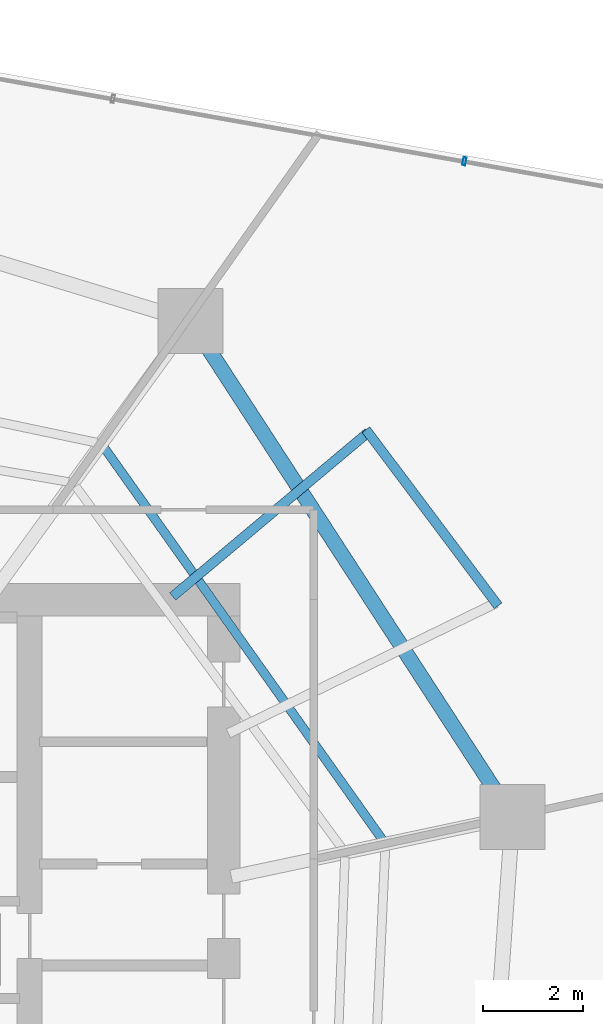
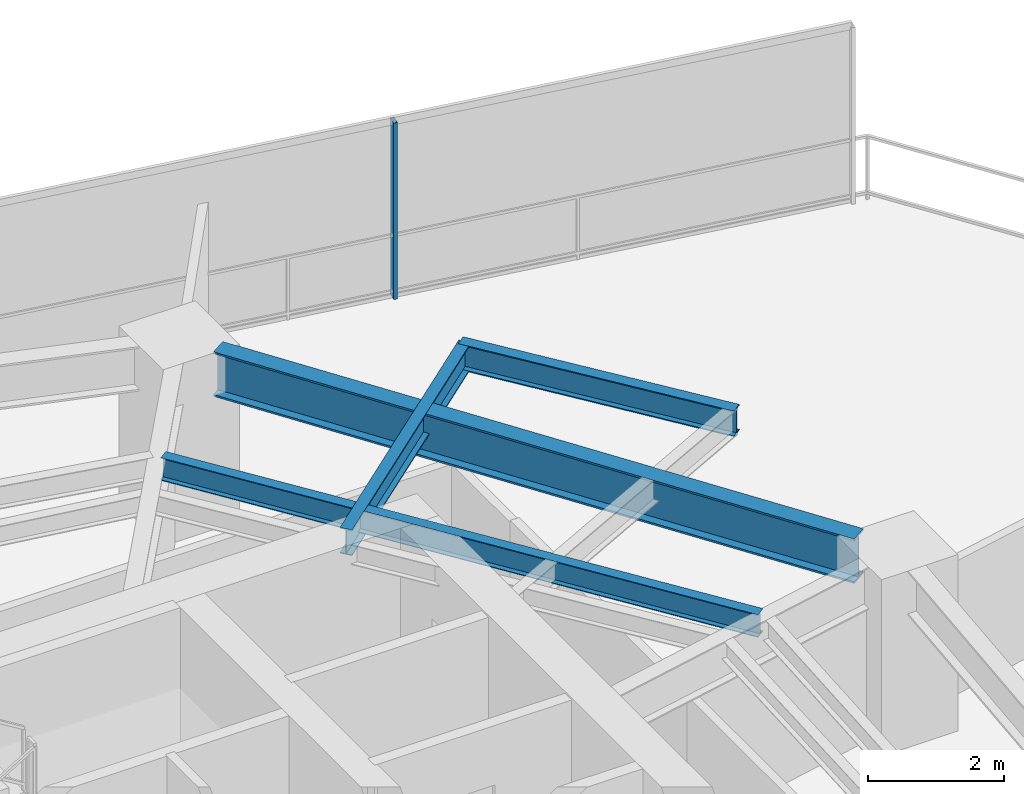
# One storey, part 24 of 33: 4 beams, 1 member, 1 element without a shape of its own.
"""IFC4 building model written with IfcOpenShell, lengths in metres."""

from ifc_helpers import new_model, si_unit, direction, frame, origin, origin_2d, place, context, subcontext, project, spatial, hollow_rectangle, i_section, extrude, material, layer, layer_set, material_profile, profile_set, type_object, element, aggregate, save


model = new_model("IFC4")

# Units and contexts
model_context = context("Model", 3, precision=1e-05, world=origin(), true_north=direction((0.0, 1.0)))
body_context = subcontext(model_context, "Body", "Model", "MODEL_VIEW")
ifc_project = project(units=[si_unit("LENGTHUNIT", "METRE"), si_unit("AREAUNIT", "SQUARE_METRE"), si_unit("VOLUMEUNIT", "CUBIC_METRE"), si_unit("PLANEANGLEUNIT", "RADIAN"), si_unit("MASSUNIT", "GRAM", prefix="KILO")], contexts=[model_context])

# Site, building, storey
site_placement = place(None, origin())
site = spatial("IfcSite", under=ifc_project, at=site_placement, CompositionType="ELEMENT")
building_placement = place(site_placement, origin())
building = spatial("IfcBuilding", under=site, at=building_placement, Name="Qarnah Convention Tower", CompositionType="ELEMENT")
storey_placement = place(building_placement, frame((0.0, 0.0, 30.449951171875)))
storey = spatial("IfcBuildingStorey", under=building, at=storey_placement, Name="L06", CompositionType="ELEMENT", Elevation=30.449951171875)

# Beams
ifc_material_1 = material(Name="Structural steel S355JR", Category="steel")
ifc_material_profile_1 = material_profile(ifc_material_1, i_section(OverallWidth=0.19189453125, OverallDepth=0.464111328125, WebThickness=0.010986328125, FlangeThickness=0.01806640625, at=origin_2d()), Name="W460X89")
ifc_profile_set_1 = profile_set([ifc_material_profile_1], Name="Structural steel S355JR")
beam_type_1 = type_object("IfcBeamType", Name="BM-CANT-W460A", PredefinedType="BEAM", material=ifc_profile_set_1)
beam_1_placement = place(storey_placement, frame((46.572021484375, 34.263916015625, 2.93798828125), z_axis=(0.765964185984, 0.64288324429, 0.0), x_axis=(-0.64288324429, 0.765964185984, 0.0)))
element("IfcBeam", 1, at=beam_1_placement, inside=storey, type_object=beam_type_1, Name="L06 beam BM-L06-CNT-01-2", PredefinedType="BEAM", context=body_context, shape_type="SweptSolid", body=[
    extrude(i_section(OverallWidth=0.19189453125, OverallDepth=0.464111328125, WebThickness=0.010986328125, FlangeThickness=0.01806640625, at=origin_2d()), origin(), (0.0, 0.0, 1.0), 5.11767578125),
])
beam_2_placement = place(storey_placement, frame((53.10107421875, 34.077880859375, 2.93798828125), z_axis=(-0.600282994859, 0.799787675626, 0.0), x_axis=(-0.799787675626, -0.600282994859, 0.0)))
element("IfcBeam", 2, at=beam_2_placement, inside=storey, type_object=beam_type_1, Name="L06 spandrel BM-L06-CTIE-01", PredefinedType="SPANDREL", context=body_context, shape_type="SweptSolid", body=[
    extrude(i_section(OverallWidth=0.19189453125, OverallDepth=0.464111328125, WebThickness=0.010986328125, FlangeThickness=0.01806640625, at=origin_2d()), origin(), (0.0, 0.0, 1.0), 4.41650390625),
])
ifc_material_profile_2 = material_profile(ifc_material_1, i_section(OverallWidth=0.177978515625, OverallDepth=0.407958984375, WebThickness=0.008056640625, FlangeThickness=0.012939453125, at=origin_2d()), Name="W410X60")
ifc_profile_set_2 = profile_set([ifc_material_profile_2], Name="Structural steel S355JR")
beam_type_2 = type_object("IfcBeamType", Name="BM-JST-W410", PredefinedType="JOIST", material=ifc_profile_set_2)
beam_3_placement = place(storey_placement, frame((50.7890625, 29.373046875, 2.966064453125), z_axis=(-0.578803887341, 0.815466774307, 0.0), x_axis=(-0.815466774307, -0.578803887341, 0.0)))
element("IfcBeam", 3, at=beam_3_placement, inside=storey, type_object=beam_type_2, Name="L06 joist BM-L06-SJST-01", PredefinedType="JOIST", context=body_context, shape_type="SweptSolid", body=[
    extrude(i_section(OverallWidth=0.177978515625, OverallDepth=0.407958984375, WebThickness=0.008056640625, FlangeThickness=0.012939453125, at=origin_2d()), origin(), (0.0, 0.0, 1.0), 9.668212890625),
])
ifc_material_profile_3 = material_profile(ifc_material_1, i_section(OverallWidth=0.300048828125, OverallDepth=0.800048828125, WebThickness=0.01806640625, FlangeThickness=0.032958984375, at=origin_2d()), Name="HEB800")
ifc_profile_set_3 = profile_set([ifc_material_profile_3], Name="Structural steel S355JR")
beam_type_3 = type_object("IfcBeamType", Name="BM-RING-HEB800", PredefinedType="BEAM", material=ifc_profile_set_3)
beam_4_placement = place(storey_placement, frame((53.0390625, 30.3779296875, 2.77001953125), z_axis=(-0.544579515688, 0.838709217246, 0.0), x_axis=(-0.838709217246, -0.544579515688, 0.0)))
element("IfcBeam", 4, at=beam_4_placement, inside=storey, type_object=beam_type_3, Name="L06 beam BM-L06-SPN-01", PredefinedType="BEAM", context=body_context, shape_type="SweptSolid", body=[
    extrude(i_section(OverallWidth=0.300048828125, OverallDepth=0.800048828125, WebThickness=0.01806640625, FlangeThickness=0.032958984375, at=origin_2d()), origin(), (0.0, 0.0, 1.0), 10.58056640625),
])

# Curtain wall, member
ifc_material_2 = material(Name="Tempered Low-E dark glass", Category="glass")
ifc_layer = layer(ifc_material_2, 0.16796875)
ifc_layer_set = layer_set([ifc_layer], Name="Tempered Low-E dark glass")
curtain_wall_type = type_object("IfcCurtainWallType", Name="CWS-01", PredefinedType="NOTDEFINED", material=ifc_layer_set)
curtain_wall_placement = place(storey_placement, origin())
curtain_wall = element("IfcCurtainWall", 5, at=curtain_wall_placement, inside=storey, type_object=curtain_wall_type, Name="L06 unitised curtain wall CW-L06-F1", PredefinedType="NOTDEFINED")
ifc_material_3 = material(Name="Black anodised aluminium", Category="aluminium")
ifc_material_profile_4 = material_profile(ifc_material_3, hollow_rectangle(XDim=0.06005859375, YDim=0.159912109375, WallThickness=0.00390625, at=origin_2d()), Name="MUL-60X160")
ifc_profile_set_4 = profile_set([ifc_material_profile_4], Name="Black anodised aluminium")
member_type = type_object("IfcMemberType", Name="MUL-T1", PredefinedType="MULLION", material=ifc_profile_set_4)
member_placement = place(storey_placement, frame((52.424560546875, 42.994384765625, 0.0), z_axis=(0.0, 0.0, 1.0), x_axis=(0.984566891232, -0.175008676041, 0.0)))
member = element("IfcMember", 6, at=member_placement, type_object=member_type, Name="CW-L06-F1 mullion 5", PredefinedType="MULLION", context=body_context, shape_type="SweptSolid", body=[
    extrude(hollow_rectangle(XDim=0.06005859375, YDim=0.159912109375, WallThickness=0.00390625, at=origin_2d()), origin(), (0.0, 0.0, 1.0), 3.170166015625),
])
aggregate(curtain_wall, [member])

save(model, "model.ifc")
